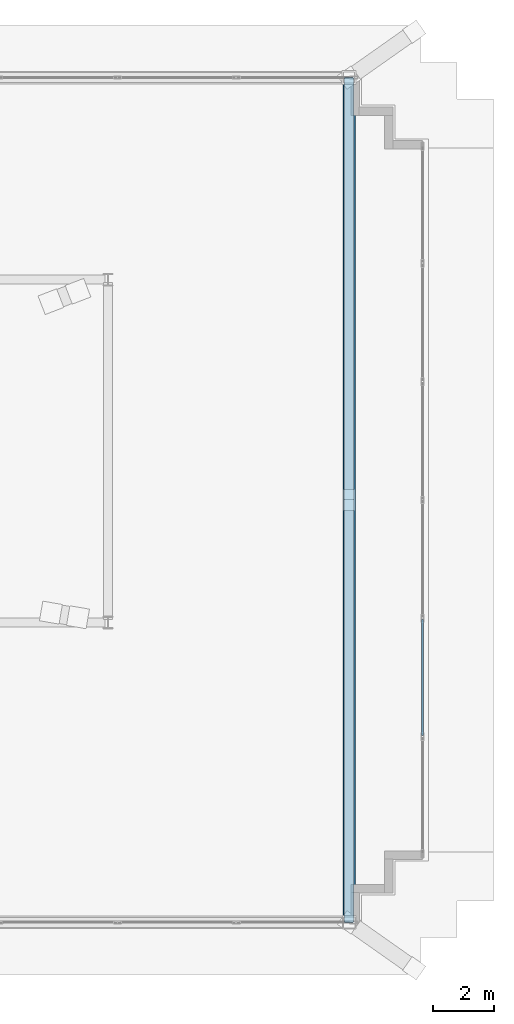
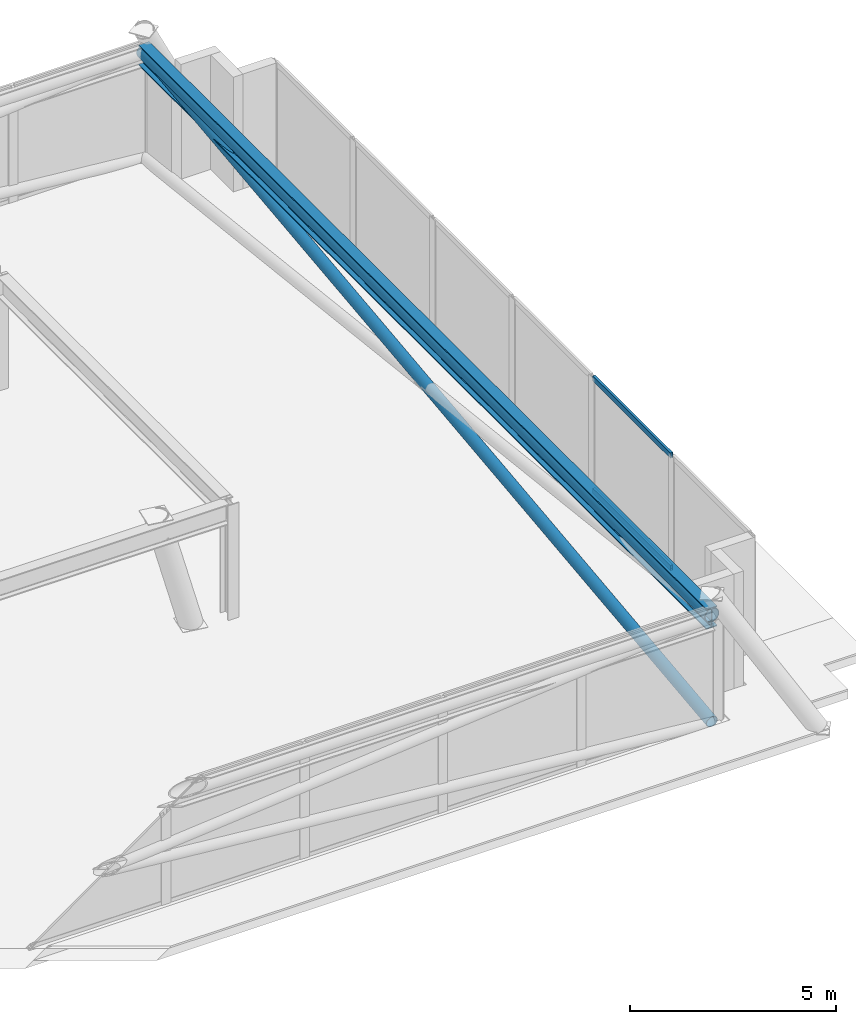
# One storey, part 16 of 22: 4 members, 1 beam, 1 element without a shape of its own.
"""IFC4 building model written with IfcOpenShell, lengths in metres."""

from ifc_helpers import new_model, si_unit, direction, frame, origin, origin_2d, place, context, subcontext, project, spatial, hollow_rectangle, hollow_circle, i_section, extrude, material, layer, layer_set, material_profile, profile_set, type_object, element, aggregate, save


model = new_model("IFC4")

# Units and contexts
model_context = context("Model", 3, precision=1e-05, world=origin(), true_north=direction((0.0, 1.0)))
body_context = subcontext(model_context, "Body", "Model", "MODEL_VIEW")
ifc_project = project(units=[si_unit("LENGTHUNIT", "METRE"), si_unit("AREAUNIT", "SQUARE_METRE"), si_unit("VOLUMEUNIT", "CUBIC_METRE"), si_unit("PLANEANGLEUNIT", "RADIAN"), si_unit("MASSUNIT", "GRAM", prefix="KILO")], contexts=[model_context])

# Site, building, storey
site_placement = place(None, origin())
site = spatial("IfcSite", under=ifc_project, at=site_placement, CompositionType="ELEMENT")
building_placement = place(site_placement, origin())
building = spatial("IfcBuilding", under=site, at=building_placement, Name="Qobustan Lattice House", CompositionType="ELEMENT")
storey_placement = place(building_placement, frame((0.0, 0.0, 274.0)))
storey = spatial("IfcBuildingStorey", under=building, at=storey_placement, Name="L77", CompositionType="ELEMENT", Elevation=274.0)

# Beam
ifc_material_1 = material(Name="Steel S355", Category="steel")
ifc_material_profile_1 = material_profile(ifc_material_1, i_section(OverallWidth=0.300048828125, OverallDepth=0.60009765625, WebThickness=0.015380859375, FlangeThickness=0.030029296875, FilletRadius=0.027099609375, at=origin_2d()), Name="HEB600")
ifc_profile_set_1 = profile_set([ifc_material_profile_1], Name="Steel S355")
beam_type = type_object("IfcBeamType", Name="BM-POD-HEB600", PredefinedType="USERDEFINED", material=ifc_profile_set_1)
beam_placement = place(storey_placement, frame((17.073486328125, -15.401611328125, 3.10009765625), z_axis=(0.0, 1.0, 0.0), x_axis=(-1.0, 0.0, 0.0)))
element("IfcBeam", 1, at=beam_placement, inside=storey, type_object=beam_type, Name="L77 crown perimeter ring beam 2", ObjectType="GIRDER", PredefinedType="USERDEFINED", context=body_context, shape_type="SweptSolid", body=[
    extrude(i_section(OverallWidth=0.300048828125, OverallDepth=0.60009765625, WebThickness=0.015380859375, FlangeThickness=0.030029296875, FilletRadius=0.027099609375, at=origin_2d()), origin(), (0.0, 0.0, 1.0), 27.60302734375),
])

# Curtain wall, members
ifc_material_2 = material(Name="Anodised aluminium and low-E glazing", Category="aluminium")
ifc_layer = layer(ifc_material_2, 0.219970703125)
ifc_layer_set = layer_set([ifc_layer], Name="Anodised aluminium and low-E glazing")
curtain_wall_type = type_object("IfcCurtainWallType", Name="CW-CRN-01", PredefinedType="USERDEFINED", material=ifc_layer_set)
curtain_wall_placement = place(storey_placement, origin())
curtain_wall = element("IfcCurtainWall", 2, at=curtain_wall_placement, inside=storey, type_object=curtain_wall_type, Name="L77 glass-point crown faceted curtain wall 15", ObjectType="CURTAIN WALL", PredefinedType="USERDEFINED")
ifc_material_3 = material(Name="Anodised aluminium EN AW-6063 T6", Category="aluminium")
ifc_material_profile_2 = material_profile(ifc_material_3, hollow_rectangle(XDim=0.06494140625, YDim=0.159912109375, WallThickness=0.00390625, at=origin_2d()), Name="CWT-160x65")
ifc_profile_set_2 = profile_set([ifc_material_profile_2], Name="Anodised aluminium EN AW-6063 T6")
member_type_1 = type_object("IfcMemberType", Name="CWT-HOR-160", PredefinedType="USERDEFINED", material=ifc_profile_set_2)
member_1_placement = place(storey_placement, frame((19.473388671875, -5.51220703125, 0.032470703125), z_axis=(0.0, -1.0, 0.0), x_axis=(1.0, 0.0, 0.0)))
member_1 = element("IfcMember", 3, at=member_1_placement, type_object=member_type_1, Name="CW-CR transom 5.1", ObjectType="TRANSOM", PredefinedType="USERDEFINED", context=body_context, shape_type="SweptSolid", body=[
    extrude(hollow_rectangle(XDim=0.06494140625, YDim=0.159912109375, WallThickness=0.00390625, at=origin_2d()), origin(), (0.0, 0.0, 1.0), 3.777099609375),
])
member_2_placement = place(storey_placement, frame((19.473388671875, -5.51220703125, 3.367431640625), z_axis=(0.0, -1.0, 0.0), x_axis=(1.0, 0.0, 0.0)))
member_2 = element("IfcMember", 4, at=member_2_placement, type_object=member_type_1, Name="CW-CR transom 5.2", ObjectType="TRANSOM", PredefinedType="USERDEFINED", context=body_context, shape_type="SweptSolid", body=[
    extrude(hollow_rectangle(XDim=0.06494140625, YDim=0.159912109375, WallThickness=0.00390625, at=origin_2d()), origin(), (0.0, 0.0, 1.0), 3.777099609375),
])
aggregate(curtain_wall, [member_1, member_2])

# Members
ifc_material_4 = material(Name="Steel S355", Category="steel")
ifc_material_profile_3 = material_profile(ifc_material_4, hollow_circle(Radius=0.161865234375, WallThickness=0.012451171875, at=origin_2d()), Name="CHS323.9x12.5")
ifc_profile_set_3 = profile_set([ifc_material_profile_3], Name="Steel S355")
member_type_2 = type_object("IfcMemberType", Name="MEM-CBR-CHS324", PredefinedType="BRACE", material=ifc_profile_set_3)
member_3_placement = place(storey_placement, frame((17.073486328125, -15.401611328125, 0.014892578125), z_axis=(0.0, 0.993490346331, 0.11391633661), x_axis=(-1.0, 0.0, 0.0)))
element("IfcMember", 5, at=member_3_placement, inside=storey, type_object=member_type_2, Name="L77 crown diagrid continuous brace 2A", PredefinedType="BRACE", context=body_context, shape_type="SweptSolid", body=[
    extrude(hollow_circle(Radius=0.161865234375, WallThickness=0.012451171875, at=origin_2d()), origin(), (0.0, 0.0, 1.0), 27.783935546875),
])
ifc_material_5 = material(Name="Steel S355", Category="steel")
ifc_material_profile_4 = material_profile(ifc_material_5, hollow_circle(Radius=0.203125, WallThickness=0.01611328125, at=origin_2d()), Name="CHS406.4x16")
ifc_profile_set_4 = profile_set([ifc_material_profile_4], Name="Steel S355")
member_type_3 = type_object("IfcMemberType", Name="MEM-RNG-CHS406", PredefinedType="CHORD", material=ifc_profile_set_4)
member_4_placement = place(storey_placement, frame((17.073486328125, -15.401611328125, 3.179931640625), z_axis=(0.0, 1.0, 0.0), x_axis=(-1.0, 0.0, 0.0)))
element("IfcMember", 6, at=member_4_placement, inside=storey, type_object=member_type_3, Name="L77 crown ring chord 2", PredefinedType="CHORD", context=body_context, shape_type="SweptSolid", body=[
    extrude(hollow_circle(Radius=0.203125, WallThickness=0.01611328125, at=origin_2d()), origin(), (0.0, 0.0, 1.0), 27.60302734375),
])

save(model, "model.ifc")
